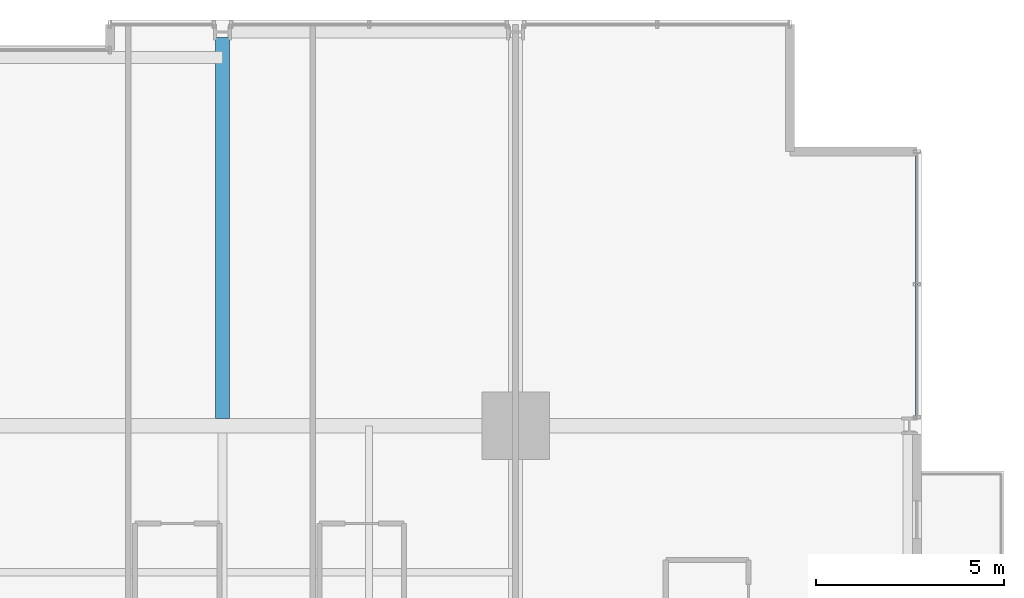
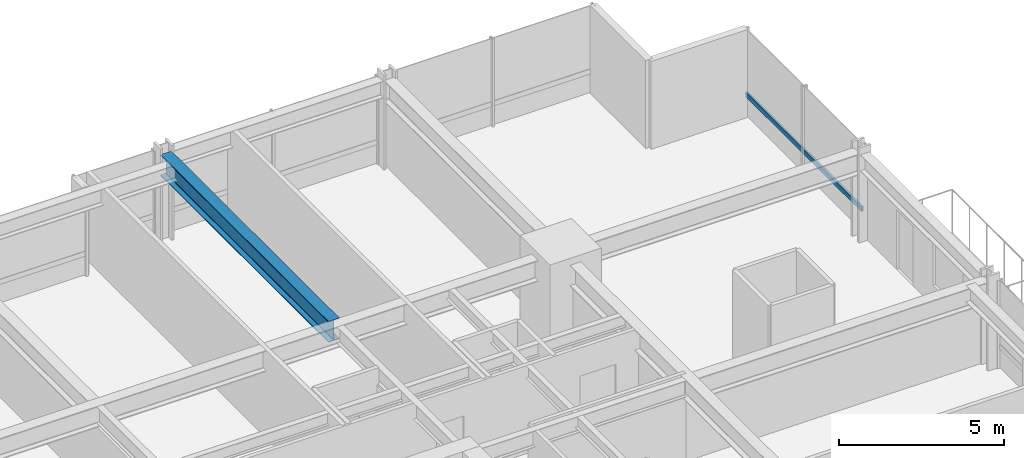
# One storey, part 26 of 38: 1 beam, 1 member, 1 element without a shape of its own.
"""IFC4 building model written with IfcOpenShell, lengths in metres."""

from ifc_helpers import new_model, si_unit, direction, frame, origin, origin_2d, place, context, subcontext, project, spatial, hollow_rectangle, i_section, extrude, material, layer, layer_set, material_profile, profile_set, type_object, element, aggregate, save


model = new_model("IFC4")

# Units and contexts
model_context = context("Model", 3, precision=1e-05, world=origin(), true_north=direction((0.0, 1.0)))
body_context = subcontext(model_context, "Body", "Model", "MODEL_VIEW")
ifc_project = project(units=[si_unit("LENGTHUNIT", "METRE"), si_unit("AREAUNIT", "SQUARE_METRE"), si_unit("VOLUMEUNIT", "CUBIC_METRE"), si_unit("PLANEANGLEUNIT", "RADIAN"), si_unit("MASSUNIT", "GRAM", prefix="KILO")], contexts=[model_context])

# Site, building, storey
site_placement = place(None, origin())
site = spatial("IfcSite", under=ifc_project, at=site_placement, CompositionType="ELEMENT")
building_placement = place(site_placement, origin())
building = spatial("IfcBuilding", under=site, at=building_placement, Name="Drelvath Grand Hotel", CompositionType="ELEMENT")
storey_placement = place(building_placement, frame((0.0, 0.0, 71.699951171875)))
storey = spatial("IfcBuildingStorey", under=building, at=storey_placement, Name="L17", CompositionType="ELEMENT", Elevation=71.699951171875)

# Curtain wall, member
ifc_material_1 = material(Name="Warm Bronze Anodised Aluminium Frame", Category="aluminium")
ifc_layer = layer(ifc_material_1, 0.199951171875)
ifc_layer_set = layer_set([ifc_layer], Name="Warm Bronze Anodised Aluminium Frame")
curtain_wall_type = type_object("IfcCurtainWallType", Name="Stick Curtain Wall CW-02 Warm Bronze Low-Rise", PredefinedType="NOTDEFINED", material=ifc_layer_set)
curtain_wall_placement = place(storey_placement, origin())
curtain_wall = element("IfcCurtainWall", 1, at=curtain_wall_placement, inside=storey, type_object=curtain_wall_type, Name="L17 CW-02 Curtain Wall CW02-L17-EN3", PredefinedType="NOTDEFINED")
ifc_material_profile_1 = material_profile(ifc_material_1, hollow_rectangle(XDim=0.074951171875, YDim=0.179931640625, WallThickness=0.0048828125, at=origin_2d()), Name="HSS180X75X5")
ifc_profile_set_1 = profile_set([ifc_material_profile_1], Name="Warm Bronze Anodised Aluminium Frame")
member_type = type_object("IfcMemberType", Name="Curtain Wall Horizontal Transom CW-02 HSS180X75X5", PredefinedType="USERDEFINED", material=ifc_profile_set_1)
member_placement = place(storey_placement, frame((26.8798828125, 50.4599609375, 0.81005859375), z_axis=(0.0, -1.0, 0.0), x_axis=(1.0, 0.0, 0.0)))
member = element("IfcMember", 2, at=member_placement, type_object=member_type, Name="CW02-L17-EN3 Sill Transom", ObjectType="TRANSOM", PredefinedType="USERDEFINED", context=body_context, shape_type="SweptSolid", body=[
    extrude(hollow_rectangle(XDim=0.074951171875, YDim=0.179931640625, WallThickness=0.0048828125, at=origin_2d()), origin(), (0.0, 0.0, 1.0), 6.990966796875),
])
aggregate(curtain_wall, [member])

# Beam
ifc_material_2 = material(Name="Steel ASTM A992 Gr 50", Category="steel")
ifc_material_profile_2 = material_profile(ifc_material_2, i_section(OverallWidth=0.380615234375, OverallDepth=0.773193359375, WebThickness=0.0166015625, FlangeThickness=0.027099609375, FilletRadius=0.02490234375, at=origin_2d()), Name="W30X173")
ifc_profile_set_2 = profile_set([ifc_material_profile_2], Name="Steel ASTM A992 Gr 50")
beam_type = type_object("IfcBeamType", Name="Primary Floor Girder W30X173", PredefinedType="BEAM", material=ifc_profile_set_2)
beam_placement = place(storey_placement, frame((8.39990234375, 43.390380859375, 2.853515625), z_axis=(0.0, 1.0, 0.0), x_axis=(-1.0, 0.0, 0.0)))
element("IfcBeam", 3, at=beam_placement, inside=storey, type_object=beam_type, Name="L17 North Wing Girder 6", PredefinedType="BEAM", context=body_context, shape_type="SweptSolid", body=[
    extrude(i_section(OverallWidth=0.380615234375, OverallDepth=0.773193359375, WebThickness=0.0166015625, FlangeThickness=0.027099609375, FilletRadius=0.02490234375, at=origin_2d()), origin(), (0.0, 0.0, 1.0), 10.149658203125),
])

save(model, "model.ifc")
